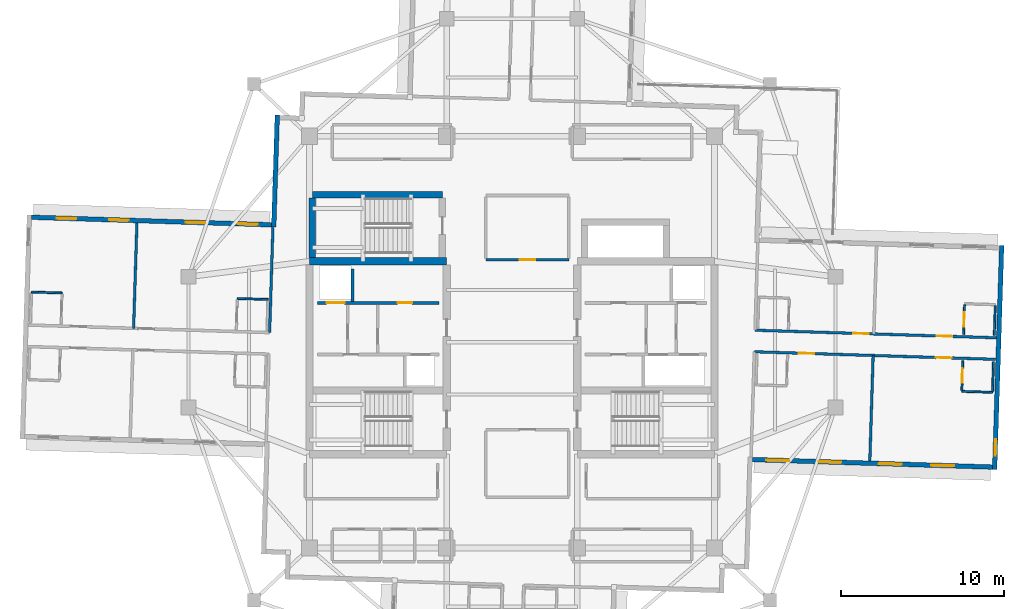
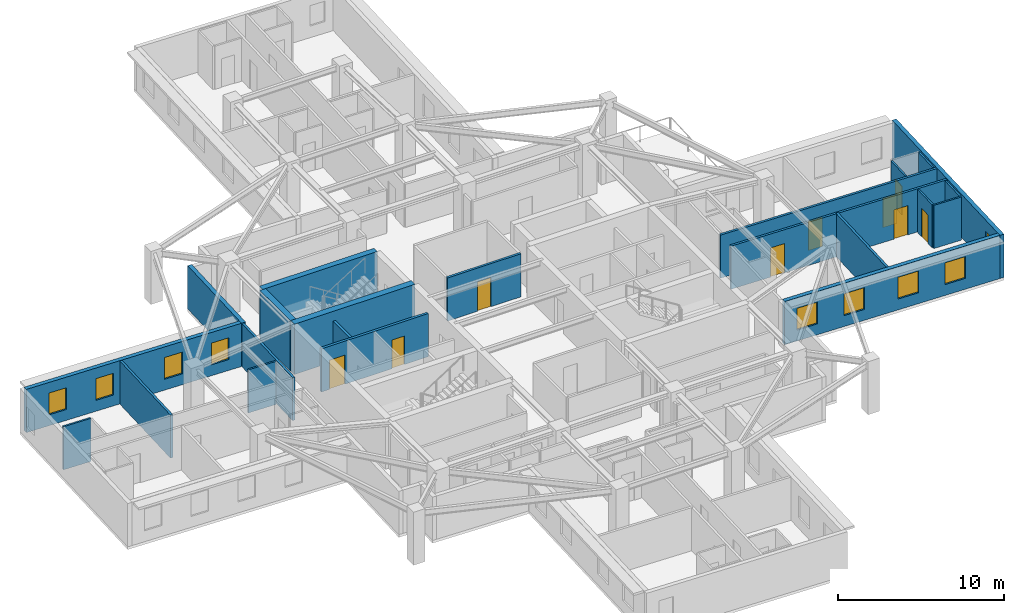
# One storey, part 6 of 12: 22 walls, 9 doors, 9 windows, 18 openings.
"""IFC4 building model written with IfcOpenShell, lengths in metres."""

from ifc_helpers import new_model, si_unit, direction, frame, frame_2d, origin, place, context, subcontext, project, spatial, rectangle, extrude, material, layer, layer_set, type_object, element, fill, save


model = new_model("IFC4")

# Units and contexts
model_context = context("Model", 3, precision=1e-05, world=origin(), true_north=direction((0.0, 1.0)))
body_context = subcontext(model_context, "Body", "Model", "MODEL_VIEW")
ifc_project = project(units=[si_unit("LENGTHUNIT", "METRE"), si_unit("AREAUNIT", "SQUARE_METRE"), si_unit("VOLUMEUNIT", "CUBIC_METRE"), si_unit("PLANEANGLEUNIT", "RADIAN"), si_unit("MASSUNIT", "GRAM", prefix="KILO")], contexts=[model_context])

# Site, building, storey
site_placement = place(None, origin())
site = spatial("IfcSite", under=ifc_project, at=site_placement, CompositionType="ELEMENT")
building_placement = place(site_placement, origin())
building = spatial("IfcBuilding", under=site, at=building_placement, Name="Qingluan Cross Belvedere", CompositionType="ELEMENT")
storey_placement = place(building_placement, frame((0.0, 0.0, 232.5)))
storey = spatial("IfcBuildingStorey", under=building, at=storey_placement, Name="L58", CompositionType="ELEMENT", Elevation=232.5)

# Walls
ifc_material_1 = material(Name="Concrete C50", Category="concrete")
ifc_layer_1 = layer(ifc_material_1, 0.449951171875, Name="CoreShearWall_450")
ifc_layer_set_1 = layer_set([ifc_layer_1], Name="Concrete C50")
wall_type_1 = type_object("IfcWallType", Name="CoreShearWall_450", PredefinedType="SHEAR", material=ifc_layer_set_1)
wall_1_placement = place(storey_placement, frame((-12.39990234375, 4.949951171875, 0.0), z_axis=(0.0, 0.0, 1.0), x_axis=(1.0, 0.0, 0.0)))
element("IfcWall", 1, at=wall_1_placement, inside=storey, type_object=wall_type_1, Name="Split core W shear wall L58-N", PredefinedType="SHEAR", context=body_context, shape_type="SweptSolid", body=[
    extrude(rectangle(XDim=8.39990234375, YDim=0.449951171875, at=frame_2d((4.199951171875, 0.0))), origin(), (0.0, 0.0, 1.0), 3.699951171875),
])
wall_2_placement = place(storey_placement, frame((-12.219970703125, 9.0400390625, 0.0), z_axis=(0.0, 0.0, 1.0), x_axis=(1.0, 0.0, 0.0)))
element("IfcWall", 2, at=wall_2_placement, inside=storey, type_object=wall_type_1, Name="Stair ST3 structural wall N L58", PredefinedType="SHEAR", context=body_context, shape_type="SweptSolid", body=[
    extrude(rectangle(XDim=7.9599609375, YDim=0.39990234375, at=frame_2d((3.97998046875, 0.0))), origin(), (0.0, 0.0, 1.0), 3.699951171875),
])
wall_3_placement = place(storey_placement, frame((-12.219970703125, 5.179931640625, 0.0), z_axis=(0.0, 0.0, 1.0), x_axis=(0.0, 1.0, 0.0)))
element("IfcWall", 3, at=wall_3_placement, inside=storey, type_object=wall_type_1, Name="Stair ST3 structural wall W L58", PredefinedType="SHEAR", context=body_context, shape_type="SweptSolid", body=[
    extrude(rectangle(XDim=3.655029296875, YDim=0.39990234375, at=frame_2d((1.82763671875, 0.0))), origin(), (0.0, 0.0, 1.0), 3.699951171875),
])

# Wall, opening, door
ifc_material_2 = material(Name="Gypsum plasterboard on steel stud acoustic partition", Category="steel")
ifc_layer_2 = layer(ifc_material_2, 0.159912109375, Name="CorridorPartition_160")
ifc_layer_set_2 = layer_set([ifc_layer_2], Name="Gypsum plasterboard on steel stud acoustic partition")
wall_type_2 = type_object("IfcWallType", Name="CorridorPartition_160", PredefinedType="PARTITIONING", material=ifc_layer_set_2)
wall_4_placement = place(storey_placement, frame((-1.60009765625, 5.050048828125, 0.0), z_axis=(0.0, 0.0, 1.0), x_axis=(1.0, 0.0, 0.0)))
wall_4 = element("IfcWall", 4, at=wall_4_placement, inside=storey, type_object=wall_type_2, Name="Partition L58:sky_tea_alcove:S", PredefinedType="PARTITIONING", context=body_context, shape_type="SweptSolid", body=[
    extrude(rectangle(XDim=5.080078125, YDim=0.159912109375, at=frame_2d((2.5400390625, 0.0))), origin(), (0.0, 0.0, 1.0), 3.169921875),
])
opening_1_placement = place(wall_4_placement, frame((2.06005859375, 0.0, 0.0)))
opening_1 = element("IfcOpeningElement", 5, at=opening_1_placement, cuts=wall_4, Name="Opening GD-10", PredefinedType="OPENING", context=body_context, shape_type="SweptSolid", body=[
    extrude(rectangle(XDim=0.9599609375, YDim=2.14990234375, at=frame_2d((0.47998046875, 1.074951171875))), frame((0.0, 0.08984375, 0.0), z_axis=(0.0, -1.0, 0.0), x_axis=(1.0, 0.0, 0.0)), (0.0, 0.0, 1.0), 0.179931640625),
])
ifc_material_3 = material(Name="Timber oak fire-rated acoustic guestroom door", Category="wood")
door_type_1 = type_object("IfcDoorType", Name="GuestEntryDoor_FD60", OperationType="NOTDEFINED", PredefinedType="DOOR", material=ifc_material_3)
door_1_placement = place(opening_1_placement, origin())
door_1 = element("IfcDoor", 6, at=door_1_placement, inside=storey, type_object=door_type_1, Name="Sky horizon tea salon L58 door", OperationType="SINGLE_SWING_RIGHT", OverallHeight=2.14990234375, OverallWidth=0.9599609375, PredefinedType="DOOR", context=body_context, shape_type="SweptSolid", body=[
    extrude(rectangle(XDim=0.9599609375, YDim=2.14990234375, at=frame_2d((0.47998046875, 1.074951171875))), frame((0.0, 0.02490234375, 0.0), z_axis=(0.0, -1.0, 0.0), x_axis=(1.0, 0.0, 0.0)), (0.0, 0.0, 1.0), 0.050048828125),
])
fill(opening_1, door_1)

# Wall, openings, doors
wall_5_placement = place(storey_placement, frame((14.88037109375, 0.73291015625, 0.0), z_axis=(0.0, 0.0, 1.0), x_axis=(0.999506468759, -0.031413673903, 0.0)))
wall_5 = element("IfcWall", 7, at=wall_5_placement, inside=storey, type_object=wall_type_2, Name="Partition L58:E:c0", PredefinedType="PARTITIONING", context=body_context, shape_type="SweptSolid", body=[
    extrude(rectangle(XDim=14.781982421875, YDim=0.159912109375, at=frame_2d((7.39111328125, 0.0))), origin(), (0.0, 0.0, 1.0), 3.169921875),
])
opening_2_placement = place(wall_5_placement, frame((6.013916015625, 0.0, 0.0)))
opening_2 = element("IfcOpeningElement", 8, at=opening_2_placement, cuts=wall_5, Name="Opening GD-10", PredefinedType="OPENING", context=body_context, shape_type="SweptSolid", body=[
    extrude(rectangle(XDim=0.9599609375, YDim=2.14990234375, at=frame_2d((0.47998046875, 1.074951171875))), frame((0.0, 0.08984375, 0.0), z_axis=(0.0, -1.0, 0.0), x_axis=(1.0, 0.0, 0.0)), (0.0, 0.0, 1.0), 0.179931640625),
])
opening_3_placement = place(wall_5_placement, frame((11.115966796875, 0.0, 0.0)))
opening_3 = element("IfcOpeningElement", 9, at=opening_3_placement, cuts=wall_5, Name="Opening GD-10", PredefinedType="OPENING", context=body_context, shape_type="SweptSolid", body=[
    extrude(rectangle(XDim=0.9599609375, YDim=2.14990234375, at=frame_2d((0.47998046875, 1.074951171875))), frame((0.0, 0.08984375, 0.0), z_axis=(0.0, -1.0, 0.0), x_axis=(1.0, 0.0, 0.0)), (0.0, 0.0, 1.0), 0.179931640625),
])
door_2_placement = place(opening_2_placement, origin())
door_2 = element("IfcDoor", 10, at=door_2_placement, inside=storey, type_object=door_type_1, Name="Guest entry fire door 5801", OperationType="SINGLE_SWING_RIGHT", OverallHeight=2.14990234375, OverallWidth=0.9599609375, PredefinedType="DOOR", context=body_context, shape_type="SweptSolid", body=[
    extrude(rectangle(XDim=0.9599609375, YDim=2.14990234375, at=frame_2d((0.47998046875, 1.074951171875))), frame((0.0, 0.02490234375, 0.0), z_axis=(0.0, -1.0, 0.0), x_axis=(1.0, 0.0, 0.0)), (0.0, 0.0, 1.0), 0.050048828125),
])
fill(opening_2, door_2)
door_3_placement = place(opening_3_placement, origin())
door_3 = element("IfcDoor", 11, at=door_3_placement, inside=storey, type_object=door_type_1, Name="Guest entry fire door 5802", OperationType="SINGLE_SWING_RIGHT", OverallHeight=2.14990234375, OverallWidth=0.9599609375, PredefinedType="DOOR", context=body_context, shape_type="SweptSolid", body=[
    extrude(rectangle(XDim=0.9599609375, YDim=2.14990234375, at=frame_2d((0.47998046875, 1.074951171875))), frame((0.0, 0.02490234375, 0.0), z_axis=(0.0, -1.0, 0.0), x_axis=(1.0, 0.0, 0.0)), (0.0, 0.0, 1.0), 0.050048828125),
])
fill(opening_3, door_3)

wall_6_placement = place(storey_placement, frame((14.8388671875, -0.58642578125, 0.0), z_axis=(0.0, 0.0, 1.0), x_axis=(0.999506468759, -0.031413673903, 0.0)))
wall_6 = element("IfcWall", 12, at=wall_6_placement, inside=storey, type_object=wall_type_2, Name="Partition L58:E:c1", PredefinedType="PARTITIONING", context=body_context, shape_type="SweptSolid", body=[
    extrude(rectangle(XDim=14.781982421875, YDim=0.159912109375, at=frame_2d((7.39111328125, 0.0))), origin(), (0.0, 0.0, 1.0), 3.169921875),
])
opening_4_placement = place(wall_6_placement, frame((2.70703125, 0.0, 0.0)))
opening_4 = element("IfcOpeningElement", 13, at=opening_4_placement, cuts=wall_6, Name="Opening GD-10", PredefinedType="OPENING", context=body_context, shape_type="SweptSolid", body=[
    extrude(rectangle(XDim=0.9599609375, YDim=2.14990234375, at=frame_2d((0.47998046875, 1.074951171875))), frame((0.0, 0.08984375, 0.0), z_axis=(0.0, -1.0, 0.0), x_axis=(1.0, 0.0, 0.0)), (0.0, 0.0, 1.0), 0.179931640625),
])
opening_5_placement = place(wall_6_placement, frame((11.115966796875, 0.0, 0.0)))
opening_5 = element("IfcOpeningElement", 14, at=opening_5_placement, cuts=wall_6, Name="Opening GD-10", PredefinedType="OPENING", context=body_context, shape_type="SweptSolid", body=[
    extrude(rectangle(XDim=0.9599609375, YDim=2.14990234375, at=frame_2d((0.47998046875, 1.074951171875))), frame((0.0, 0.08984375, 0.0), z_axis=(0.0, -1.0, 0.0), x_axis=(1.0, 0.0, 0.0)), (0.0, 0.0, 1.0), 0.179931640625),
])
door_4_placement = place(opening_4_placement, origin())
door_4 = element("IfcDoor", 15, at=door_4_placement, inside=storey, type_object=door_type_1, Name="Guest entry fire door 5803", OperationType="SINGLE_SWING_RIGHT", OverallHeight=2.14990234375, OverallWidth=0.9599609375, PredefinedType="DOOR", context=body_context, shape_type="SweptSolid", body=[
    extrude(rectangle(XDim=0.9599609375, YDim=2.14990234375, at=frame_2d((0.47998046875, 1.074951171875))), frame((0.0, 0.02490234375, 0.0), z_axis=(0.0, -1.0, 0.0), x_axis=(1.0, 0.0, 0.0)), (0.0, 0.0, 1.0), 0.050048828125),
])
fill(opening_4, door_4)
door_5_placement = place(opening_5_placement, origin())
door_5 = element("IfcDoor", 16, at=door_5_placement, inside=storey, type_object=door_type_1, Name="Guest entry fire door 5804", OperationType="SINGLE_SWING_RIGHT", OverallHeight=2.14990234375, OverallWidth=0.9599609375, PredefinedType="DOOR", context=body_context, shape_type="SweptSolid", body=[
    extrude(rectangle(XDim=0.9599609375, YDim=2.14990234375, at=frame_2d((0.47998046875, 1.074951171875))), frame((0.0, 0.02490234375, 0.0), z_axis=(0.0, -1.0, 0.0), x_axis=(1.0, 0.0, 0.0)), (0.0, 0.0, 1.0), 0.050048828125),
])
fill(opening_5, door_5)

# Walls
for number, where, z_axis, x_axis, name in (
    (17, (22.109375, -0.81494140625, 0.0), (0.0, 0.0, 1.0), (-0.031445031277, -0.99950548273, 0.0), "Partition L58:E:d1_0"),
    (18, (-14.8388671875, 0.58642578125, 0.0), (0.0, 0.0, 1.0), (0.031407228636, 0.999506671308, 0.0), "Partition L58:W:s0"),
    (19, (-23.165771484375, 0.84814453125, 0.0), (0.0, 0.0, 1.0), (0.031407228636, 0.999506671308, 0.0), "Partition L58:W:d0_0"),
):
    element("IfcWall", number, at=place(storey_placement, frame(where, z_axis=z_axis, x_axis=x_axis)), inside=storey, type_object=wall_type_2, Name=name, PredefinedType="PARTITIONING", context=body_context, shape_type="SweptSolid", body=[
        extrude(rectangle(XDim=6.451904296875, YDim=0.159912109375, at=frame_2d((3.22607421875, 0.0))), origin(), (0.0, 0.0, 1.0), 3.169921875),
    ])

# Wall, opening, door
ifc_material_4 = material(Name="Moisture-resistant gypsum board lining")
ifc_layer_3 = layer(ifc_material_4, 0.1201171875, Name="EnsuiteWetPartition_120")
ifc_layer_set_3 = layer_set([ifc_layer_3], Name="Moisture-resistant gypsum board lining")
wall_type_3 = type_object("IfcWallType", Name="EnsuiteWetPartition_120", PredefinedType="PARTITIONING", material=ifc_layer_set_3)
wall_7_placement = place(storey_placement, frame((27.6484375, 0.4716796875, 0.0), z_axis=(0.0, 0.0, 1.0), x_axis=(0.031385496622, 0.999507353951, 0.0)))
wall_7 = element("IfcWall", 20, at=wall_7_placement, inside=storey, type_object=wall_type_3, Name="Partition L58:E:bs0_1", PredefinedType="PARTITIONING", context=body_context, shape_type="SweptSolid", body=[
    extrude(rectangle(XDim=1.8203125, YDim=0.1201171875, at=frame_2d((0.91015625, 0.0))), origin(), (0.0, 0.0, 1.0), 3.169921875),
])
opening_6_placement = place(wall_7_placement, frame((0.469970703125, 0.0, 0.0)))
opening_6 = element("IfcOpeningElement", 21, at=opening_6_placement, cuts=wall_7, Name="Opening BD-09", PredefinedType="OPENING", context=body_context, shape_type="SweptSolid", body=[
    extrude(rectangle(XDim=0.8798828125, YDim=2.10009765625, at=frame_2d((0.43994140625, 1.050048828125))), frame((0.0, 0.070068359375, 0.0), z_axis=(0.0, -1.0, 0.0), x_axis=(1.0, 0.0, 0.0)), (0.0, 0.0, 1.0), 0.14013671875),
])
ifc_material_5 = material(Name="Moisture-sealed timber en-suite door", Category="wood")
door_type_2 = type_object("IfcDoorType", Name="BathroomDoor_880", OperationType="NOTDEFINED", PredefinedType="DOOR", material=ifc_material_5)
door_6_placement = place(opening_6_placement, origin())
door_6 = element("IfcDoor", 22, at=door_6_placement, inside=storey, type_object=door_type_2, Name="Bathroom door 5802", OperationType="SINGLE_SWING_LEFT", OverallHeight=2.10009765625, OverallWidth=0.8798828125, PredefinedType="DOOR", context=body_context, shape_type="SweptSolid", body=[
    extrude(rectangle(XDim=0.8798828125, YDim=2.10009765625, at=frame_2d((0.43994140625, 1.050048828125))), frame((0.0, 0.02490234375, 0.0), z_axis=(0.0, -1.0, 0.0), x_axis=(1.0, 0.0, 0.0)), (0.0, 0.0, 1.0), 0.050048828125),
])
fill(opening_6, door_6)

# Wall
wall_8_placement = place(storey_placement, frame((29.527587890625, 0.41259765625, 0.0), z_axis=(0.0, 0.0, 1.0), x_axis=(0.031389704724, 0.999507221803, 0.0)))
element("IfcWall", 23, at=wall_8_placement, inside=storey, type_object=wall_type_3, Name="Partition L58:E:bw0_1", PredefinedType="PARTITIONING", context=body_context, shape_type="SweptSolid", body=[
    extrude(rectangle(XDim=1.820068359375, YDim=0.1201171875, at=frame_2d((0.91015625, 0.0))), origin(), (0.0, 0.0, 1.0), 3.169921875),
])

# Wall, opening, door
wall_9_placement = place(storey_placement, frame((27.541015625, -2.946533203125, 0.0), z_axis=(0.0, 0.0, 1.0), x_axis=(0.031389704724, 0.999507221803, 0.0)))
wall_9 = element("IfcWall", 24, at=wall_9_placement, inside=storey, type_object=wall_type_3, Name="Partition L58:E:bs1_1", PredefinedType="PARTITIONING", context=body_context, shape_type="SweptSolid", body=[
    extrude(rectangle(XDim=1.820068359375, YDim=0.1201171875, at=frame_2d((0.91015625, 0.0))), origin(), (0.0, 0.0, 1.0), 3.169921875),
])
opening_7_placement = place(wall_9_placement, frame((0.469970703125, 0.0, 0.0)))
opening_7 = element("IfcOpeningElement", 25, at=opening_7_placement, cuts=wall_9, Name="Opening BD-09", PredefinedType="OPENING", context=body_context, shape_type="SweptSolid", body=[
    extrude(rectangle(XDim=0.8798828125, YDim=2.10009765625, at=frame_2d((0.43994140625, 1.050048828125))), frame((0.0, 0.070068359375, 0.0), z_axis=(0.0, -1.0, 0.0), x_axis=(1.0, 0.0, 0.0)), (0.0, 0.0, 1.0), 0.14013671875),
])
door_7_placement = place(opening_7_placement, origin())
door_7 = element("IfcDoor", 26, at=door_7_placement, inside=storey, type_object=door_type_2, Name="Bathroom door 5804", OperationType="SINGLE_SWING_LEFT", OverallHeight=2.10009765625, OverallWidth=0.8798828125, PredefinedType="DOOR", context=body_context, shape_type="SweptSolid", body=[
    extrude(rectangle(XDim=0.8798828125, YDim=2.10009765625, at=frame_2d((0.43994140625, 1.050048828125))), frame((0.0, 0.02490234375, 0.0), z_axis=(0.0, -1.0, 0.0), x_axis=(1.0, 0.0, 0.0)), (0.0, 0.0, 1.0), 0.050048828125),
])
fill(opening_7, door_7)

# Walls
wall_10_placement = place(storey_placement, frame((29.420166015625, -3.005615234375, 0.0), z_axis=(0.0, 0.0, 1.0), x_axis=(0.031389704724, 0.999507221803, 0.0)))
element("IfcWall", 27, at=wall_10_placement, inside=storey, type_object=wall_type_3, Name="Partition L58:E:bw1_1", PredefinedType="PARTITIONING", context=body_context, shape_type="SweptSolid", body=[
    extrude(rectangle(XDim=1.820068359375, YDim=0.1201171875, at=frame_2d((0.91015625, 0.0))), origin(), (0.0, 0.0, 1.0), 3.169921875),
])
wall_11_placement = place(storey_placement, frame((27.5390625, -3.011474609375, 0.0), z_axis=(0.0, 0.0, 1.0), x_axis=(0.999506103526, -0.031425292588, 0.0)))
element("IfcWall", 28, at=wall_11_placement, inside=storey, type_object=wall_type_3, Name="Partition L58:E:bc1_1", PredefinedType="PARTITIONING", context=body_context, shape_type="SweptSolid", body=[
    extrude(rectangle(XDim=1.880126953125, YDim=0.1201171875, at=frame_2d((0.93994140625, 0.0))), origin(), (0.0, 0.0, 1.0), 3.169921875),
])
wall_12_placement = place(storey_placement, frame((-14.935302734375, 2.615478515625, 0.0), z_axis=(0.0, 0.0, 1.0), x_axis=(-0.999505975261, 0.031429371883, 0.0)))
element("IfcWall", 29, at=wall_12_placement, inside=storey, type_object=wall_type_3, Name="Partition L58:W:bn0_0", PredefinedType="PARTITIONING", context=body_context, shape_type="SweptSolid", body=[
    extrude(rectangle(XDim=1.8798828125, YDim=0.1201171875, at=frame_2d((0.93994140625, 0.0))), origin(), (0.0, 0.0, 1.0), 3.169921875),
])
wall_13_placement = place(storey_placement, frame((-27.5390625, 3.011474609375, 0.0), z_axis=(0.0, 0.0, 1.0), x_axis=(-0.999506103526, 0.031425292588, 0.0)))
element("IfcWall", 30, at=wall_13_placement, inside=storey, type_object=wall_type_3, Name="Partition L58:W:bn0_1", PredefinedType="PARTITIONING", context=body_context, shape_type="SweptSolid", body=[
    extrude(rectangle(XDim=1.880126953125, YDim=0.1201171875, at=frame_2d((0.93994140625, 0.0))), origin(), (0.0, 0.0, 1.0), 3.169921875),
])

# Wall, openings, windows
ifc_material_6 = material(Name="Precast concrete C45", Category="concrete")
ifc_layer_4 = layer(ifc_material_6, 0.280029296875, Name="PrecastFacadeWall_280")
ifc_layer_set_4 = layer_set([ifc_layer_4], Name="Precast concrete C45")
wall_type_4 = type_object("IfcWallType", Name="PrecastFacadeWall_280", PredefinedType="STANDARD", material=ifc_layer_set_4)
wall_14_placement = place(storey_placement, frame((14.721435546875, -7.18603515625, 0.0), z_axis=(0.0, 0.0, 1.0), x_axis=(0.999506714454, -0.031405855522, 0.0)))
wall_14 = element("IfcWall", 31, at=wall_14_placement, inside=storey, type_object=wall_type_4, Name="Facade wall L58-EA", PredefinedType="STANDARD", context=body_context, shape_type="SweptSolid", body=[
    extrude(rectangle(XDim=14.7001953125, YDim=0.280029296875, at=frame_2d((7.35009765625, 0.0))), origin(), (0.0, 0.0, 1.0), 3.179931640625),
])
opening_8_placement = place(wall_14_placement, frame((0.85009765625, 0.0, 0.800048828125)))
opening_8 = element("IfcOpeningElement", 32, at=opening_8_placement, cuts=wall_14, Name="Opening W-01", PredefinedType="OPENING", context=body_context, shape_type="SweptSolid", body=[
    extrude(rectangle(XDim=1.39990234375, YDim=1.60009765625, at=frame_2d((0.699951171875, 0.800048828125))), frame((0.0, 0.14990234375, 0.0), z_axis=(0.0, -1.0, 0.0), x_axis=(1.0, 0.0, 0.0)), (0.0, 0.0, 1.0), 0.300048828125),
])
opening_9_placement = place(wall_14_placement, frame((4.050048828125, 0.0, 0.800048828125)))
opening_9 = element("IfcOpeningElement", 33, at=opening_9_placement, cuts=wall_14, Name="Opening W-01", PredefinedType="OPENING", context=body_context, shape_type="SweptSolid", body=[
    extrude(rectangle(XDim=1.39990234375, YDim=1.60009765625, at=frame_2d((0.699951171875, 0.800048828125))), frame((0.0, 0.14990234375, 0.0), z_axis=(0.0, -1.0, 0.0), x_axis=(1.0, 0.0, 0.0)), (0.0, 0.0, 1.0), 0.300048828125),
])
opening_10_placement = place(wall_14_placement, frame((7.75, 0.0, 0.800048828125)))
opening_10 = element("IfcOpeningElement", 34, at=opening_10_placement, cuts=wall_14, Name="Opening W-01", PredefinedType="OPENING", context=body_context, shape_type="SweptSolid", body=[
    extrude(rectangle(XDim=1.39990234375, YDim=1.60009765625, at=frame_2d((0.699951171875, 0.800048828125))), frame((0.0, 0.14990234375, 0.0), z_axis=(0.0, -1.0, 0.0), x_axis=(1.0, 0.0, 0.0)), (0.0, 0.0, 1.0), 0.300048828125),
])
opening_11_placement = place(wall_14_placement, frame((10.949951171875, 0.0, 0.800048828125)))
opening_11 = element("IfcOpeningElement", 35, at=opening_11_placement, cuts=wall_14, Name="Opening W-01", PredefinedType="OPENING", context=body_context, shape_type="SweptSolid", body=[
    extrude(rectangle(XDim=1.39990234375, YDim=1.60009765625, at=frame_2d((0.699951171875, 0.800048828125))), frame((0.0, 0.14990234375, 0.0), z_axis=(0.0, -1.0, 0.0), x_axis=(1.0, 0.0, 0.0)), (0.0, 0.0, 1.0), 0.300048828125),
])
ifc_material_7 = material(Name="Thermally broken triple Low-E glass in aluminium frame", Category="aluminium")
window_type_1 = type_object("IfcWindowType", Name="TriRibbonWin_1400x1600", PartitioningType="SINGLE_PANEL", PredefinedType="WINDOW", material=ifc_material_7)
window_1_placement = place(opening_8_placement, origin())
window_1 = element("IfcWindow", 36, at=window_1_placement, inside=storey, type_object=window_type_1, Name="Ribbon window L58-EA-1", OverallHeight=1.60009765625, OverallWidth=1.39990234375, PartitioningType="SINGLE_PANEL", PredefinedType="WINDOW", context=body_context, shape_type="SweptSolid", body=[
    extrude(rectangle(XDim=1.39990234375, YDim=1.60009765625, at=frame_2d((0.699951171875, 0.800048828125))), frame((0.0, 0.030029296875, 0.0), z_axis=(0.0, -1.0, 0.0), x_axis=(1.0, 0.0, 0.0)), (0.0, 0.0, 1.0), 0.06005859375),
])
fill(opening_8, window_1)
window_2_placement = place(opening_9_placement, origin())
window_2 = element("IfcWindow", 37, at=window_2_placement, inside=storey, type_object=window_type_1, Name="Ribbon window L58-EA-2", OverallHeight=1.60009765625, OverallWidth=1.39990234375, PartitioningType="SINGLE_PANEL", PredefinedType="WINDOW", context=body_context, shape_type="SweptSolid", body=[
    extrude(rectangle(XDim=1.39990234375, YDim=1.60009765625, at=frame_2d((0.699951171875, 0.800048828125))), frame((0.0, 0.030029296875, 0.0), z_axis=(0.0, -1.0, 0.0), x_axis=(1.0, 0.0, 0.0)), (0.0, 0.0, 1.0), 0.06005859375),
])
fill(opening_9, window_2)
window_3_placement = place(opening_10_placement, origin())
window_3 = element("IfcWindow", 38, at=window_3_placement, inside=storey, type_object=window_type_1, Name="Ribbon window L58-EA-3", OverallHeight=1.60009765625, OverallWidth=1.39990234375, PartitioningType="SINGLE_PANEL", PredefinedType="WINDOW", context=body_context, shape_type="SweptSolid", body=[
    extrude(rectangle(XDim=1.39990234375, YDim=1.60009765625, at=frame_2d((0.699951171875, 0.800048828125))), frame((0.0, 0.030029296875, 0.0), z_axis=(0.0, -1.0, 0.0), x_axis=(1.0, 0.0, 0.0)), (0.0, 0.0, 1.0), 0.06005859375),
])
fill(opening_10, window_3)
window_4_placement = place(opening_11_placement, origin())
window_4 = element("IfcWindow", 39, at=window_4_placement, inside=storey, type_object=window_type_1, Name="Ribbon window L58-EA-4", OverallHeight=1.60009765625, OverallWidth=1.39990234375, PartitioningType="SINGLE_PANEL", PredefinedType="WINDOW", context=body_context, shape_type="SweptSolid", body=[
    extrude(rectangle(XDim=1.39990234375, YDim=1.60009765625, at=frame_2d((0.699951171875, 0.800048828125))), frame((0.0, 0.030029296875, 0.0), z_axis=(0.0, -1.0, 0.0), x_axis=(1.0, 0.0, 0.0)), (0.0, 0.0, 1.0), 0.06005859375),
])
fill(opening_11, window_4)

# Wall, opening, window
wall_15_placement = place(storey_placement, frame((29.5498046875, -7.7919921875, 0.0), z_axis=(0.0, 0.0, 1.0), x_axis=(0.031407524763, 0.999506662003, 0.0)))
wall_15 = element("IfcWall", 40, at=wall_15_placement, inside=storey, type_object=wall_type_4, Name="Arm tip precast facade wall L58-E", PredefinedType="STANDARD", context=body_context, shape_type="SweptSolid", body=[
    extrude(rectangle(XDim=13.719970703125, YDim=0.280029296875, at=frame_2d((6.85986328125, 0.0))), origin(), (0.0, 0.0, 1.0), 3.179931640625),
])
opening_12_placement = place(wall_15_placement, frame((0.85009765625, 0.0, 0.85009765625)))
opening_12 = element("IfcOpeningElement", 41, at=opening_12_placement, cuts=wall_15, Name="Opening W-03", PredefinedType="OPENING", context=body_context, shape_type="SweptSolid", body=[
    extrude(rectangle(XDim=1.0, YDim=1.5, at=frame_2d((0.5, 0.75))), frame((0.0, 0.14990234375, 0.0), z_axis=(0.0, -1.0, 0.0), x_axis=(1.0, 0.0, 0.0)), (0.0, 0.0, 1.0), 0.300048828125),
])
ifc_material_8 = material(Name="Thermally broken triple Low-E glass in aluminium frame", Category="aluminium")
window_type_2 = type_object("IfcWindowType", Name="TriApexWin_1000x1500", PartitioningType="SINGLE_PANEL", PredefinedType="WINDOW", material=ifc_material_8)
window_5_placement = place(opening_12_placement, origin())
window_5 = element("IfcWindow", 42, at=window_5_placement, inside=storey, type_object=window_type_2, Name="Arm tip triangular window L58-E", OverallHeight=1.5, OverallWidth=1.0, PartitioningType="SINGLE_PANEL", PredefinedType="WINDOW", context=body_context, shape_type="SweptSolid", body=[
    extrude(rectangle(XDim=1.0, YDim=1.5, at=frame_2d((0.5, 0.75))), frame((0.0, 0.030029296875, 0.0), z_axis=(0.0, -1.0, 0.0), x_axis=(1.0, 0.0, 0.0)), (0.0, 0.0, 1.0), 0.06005859375),
])
fill(opening_12, window_5)

# Wall, openings, windows
wall_16_placement = place(storey_placement, frame((-14.721435546875, 7.18603515625, 0.0), z_axis=(0.0, 0.0, 1.0), x_axis=(-0.999506714454, 0.031405855522, 0.0)))
wall_16 = element("IfcWall", 43, at=wall_16_placement, inside=storey, type_object=wall_type_4, Name="Facade wall L58-WA", PredefinedType="STANDARD", context=body_context, shape_type="SweptSolid", body=[
    extrude(rectangle(XDim=14.7001953125, YDim=0.280029296875, at=frame_2d((7.35009765625, 0.0))), origin(), (0.0, 0.0, 1.0), 3.179931640625),
])
opening_13_placement = place(wall_16_placement, frame((0.85009765625, 0.0, 0.800048828125)))
opening_13 = element("IfcOpeningElement", 44, at=opening_13_placement, cuts=wall_16, Name="Opening W-02", PredefinedType="OPENING", context=body_context, shape_type="SweptSolid", body=[
    extrude(rectangle(XDim=1.199951171875, YDim=1.60009765625, at=frame_2d((0.60009765625, 0.800048828125))), frame((0.0, 0.14990234375, 0.0), z_axis=(0.0, -1.0, 0.0), x_axis=(1.0, 0.0, 0.0)), (0.0, 0.0, 1.0), 0.300048828125),
])
opening_14_placement = place(wall_16_placement, frame((4.050048828125, 0.0, 0.800048828125)))
opening_14 = element("IfcOpeningElement", 45, at=opening_14_placement, cuts=wall_16, Name="Opening W-02", PredefinedType="OPENING", context=body_context, shape_type="SweptSolid", body=[
    extrude(rectangle(XDim=1.199951171875, YDim=1.60009765625, at=frame_2d((0.60009765625, 0.800048828125))), frame((0.0, 0.14990234375, 0.0), z_axis=(0.0, -1.0, 0.0), x_axis=(1.0, 0.0, 0.0)), (0.0, 0.0, 1.0), 0.300048828125),
])
opening_15_placement = place(wall_16_placement, frame((8.75, 0.0, 0.800048828125)))
opening_15 = element("IfcOpeningElement", 46, at=opening_15_placement, cuts=wall_16, Name="Opening W-02", PredefinedType="OPENING", context=body_context, shape_type="SweptSolid", body=[
    extrude(rectangle(XDim=1.199951171875, YDim=1.60009765625, at=frame_2d((0.60009765625, 0.800048828125))), frame((0.0, 0.14990234375, 0.0), z_axis=(0.0, -1.0, 0.0), x_axis=(1.0, 0.0, 0.0)), (0.0, 0.0, 1.0), 0.300048828125),
])
opening_16_placement = place(wall_16_placement, frame((11.949951171875, 0.0, 0.800048828125)))
opening_16 = element("IfcOpeningElement", 47, at=opening_16_placement, cuts=wall_16, Name="Opening W-02", PredefinedType="OPENING", context=body_context, shape_type="SweptSolid", body=[
    extrude(rectangle(XDim=1.199951171875, YDim=1.60009765625, at=frame_2d((0.60009765625, 0.800048828125))), frame((0.0, 0.14990234375, 0.0), z_axis=(0.0, -1.0, 0.0), x_axis=(1.0, 0.0, 0.0)), (0.0, 0.0, 1.0), 0.300048828125),
])
ifc_material_9 = material(Name="Thermally broken triple Low-E glass in aluminium frame", Category="aluminium")
window_type_3 = type_object("IfcWindowType", Name="TriRibbonWin_1200x1600", PartitioningType="SINGLE_PANEL", PredefinedType="WINDOW", material=ifc_material_9)
window_6_placement = place(opening_13_placement, origin())
window_6 = element("IfcWindow", 48, at=window_6_placement, inside=storey, type_object=window_type_3, Name="Ribbon window L58-WA-1", OverallHeight=1.60009765625, OverallWidth=1.199951171875, PartitioningType="SINGLE_PANEL", PredefinedType="WINDOW", context=body_context, shape_type="SweptSolid", body=[
    extrude(rectangle(XDim=1.199951171875, YDim=1.60009765625, at=frame_2d((0.60009765625, 0.800048828125))), frame((0.0, 0.030029296875, 0.0), z_axis=(0.0, -1.0, 0.0), x_axis=(1.0, 0.0, 0.0)), (0.0, 0.0, 1.0), 0.06005859375),
])
fill(opening_13, window_6)
window_7_placement = place(opening_14_placement, origin())
window_7 = element("IfcWindow", 49, at=window_7_placement, inside=storey, type_object=window_type_3, Name="Ribbon window L58-WA-2", OverallHeight=1.60009765625, OverallWidth=1.199951171875, PartitioningType="SINGLE_PANEL", PredefinedType="WINDOW", context=body_context, shape_type="SweptSolid", body=[
    extrude(rectangle(XDim=1.199951171875, YDim=1.60009765625, at=frame_2d((0.60009765625, 0.800048828125))), frame((0.0, 0.030029296875, 0.0), z_axis=(0.0, -1.0, 0.0), x_axis=(1.0, 0.0, 0.0)), (0.0, 0.0, 1.0), 0.06005859375),
])
fill(opening_14, window_7)
window_8_placement = place(opening_15_placement, origin())
window_8 = element("IfcWindow", 50, at=window_8_placement, inside=storey, type_object=window_type_3, Name="Ribbon window L58-WA-3", OverallHeight=1.60009765625, OverallWidth=1.199951171875, PartitioningType="SINGLE_PANEL", PredefinedType="WINDOW", context=body_context, shape_type="SweptSolid", body=[
    extrude(rectangle(XDim=1.199951171875, YDim=1.60009765625, at=frame_2d((0.60009765625, 0.800048828125))), frame((0.0, 0.030029296875, 0.0), z_axis=(0.0, -1.0, 0.0), x_axis=(1.0, 0.0, 0.0)), (0.0, 0.0, 1.0), 0.06005859375),
])
fill(opening_15, window_8)
window_9_placement = place(opening_16_placement, origin())
window_9 = element("IfcWindow", 51, at=window_9_placement, inside=storey, type_object=window_type_3, Name="Ribbon window L58-WA-4", OverallHeight=1.60009765625, OverallWidth=1.199951171875, PartitioningType="SINGLE_PANEL", PredefinedType="WINDOW", context=body_context, shape_type="SweptSolid", body=[
    extrude(rectangle(XDim=1.199951171875, YDim=1.60009765625, at=frame_2d((0.60009765625, 0.800048828125))), frame((0.0, 0.030029296875, 0.0), z_axis=(0.0, -1.0, 0.0), x_axis=(1.0, 0.0, 0.0)), (0.0, 0.0, 1.0), 0.06005859375),
])
fill(opening_16, window_9)

# Wall
wall_17_placement = place(storey_placement, frame((-14.5859375, 7.04150390625, 0.0), z_axis=(0.0, 0.0, 1.0), x_axis=(0.031389189386, 0.999507237988, 0.0)))
element("IfcWall", 52, at=wall_17_placement, inside=storey, type_object=wall_type_4, Name="Corner wall L58-NW1", PredefinedType="STANDARD", context=body_context, shape_type="SweptSolid", body=[
    extrude(rectangle(XDim=6.860107421875, YDim=0.280029296875, at=frame_2d((3.43017578125, 0.0))), origin(), (0.0, 0.0, 1.0), 3.179931640625),
])

# Wall, openings, doors
ifc_material_10 = material(Name="Concrete C40", Category="concrete")
ifc_layer_5 = layer(ifc_material_10, 0.219970703125, Name="ShaftEnclosureWall_250")
ifc_layer_set_5 = layer_set([ifc_layer_5], Name="Concrete C40")
wall_type_5 = type_object("IfcWallType", Name="ShaftEnclosureWall_250", PredefinedType="SOLIDWALL", material=ifc_layer_set_5)
wall_18_placement = place(storey_placement, frame((-11.89990234375, 2.409912109375, 0.0), z_axis=(0.0, 0.0, 1.0), x_axis=(1.0, 0.0, 0.0)))
wall_18 = element("IfcWall", 53, at=wall_18_placement, inside=storey, type_object=wall_type_5, Name="Core-W north hoistway wall L58", PredefinedType="SOLIDWALL", context=body_context, shape_type="SweptSolid", body=[
    extrude(rectangle(XDim=7.419921875, YDim=0.179931640625, at=frame_2d((3.7099609375, 0.0))), origin(), (0.0, 0.0, 1.0), 3.169921875),
])
opening_17_placement = place(wall_18_placement, frame((0.550048828125, 0.0, 0.0)))
opening_17 = element("IfcOpeningElement", 54, at=opening_17_placement, cuts=wall_18, Name="Opening LD-11", PredefinedType="OPENING", context=body_context, shape_type="SweptSolid", body=[
    extrude(rectangle(XDim=1.10009765625, YDim=2.14990234375, at=frame_2d((0.550048828125, 1.074951171875))), frame((0.0, 0.099853515625, 0.0), z_axis=(0.0, -1.0, 0.0), x_axis=(1.0, 0.0, 0.0)), (0.0, 0.0, 1.0), 0.199951171875),
])
opening_18_placement = place(wall_18_placement, frame((4.89990234375, 0.0, 0.0)))
opening_18 = element("IfcOpeningElement", 55, at=opening_18_placement, cuts=wall_18, Name="Opening FD-B10", PredefinedType="OPENING", context=body_context, shape_type="SweptSolid", body=[
    extrude(rectangle(XDim=0.8798828125, YDim=2.10009765625, at=frame_2d((0.43994140625, 1.050048828125))), frame((0.0, 0.099853515625, 0.0), z_axis=(0.0, -1.0, 0.0), x_axis=(1.0, 0.0, 0.0)), (0.0, 0.0, 1.0), 0.199951171875),
])
ifc_material_11 = material(Name="Brushed stainless steel centre-opening lift landing door", Category="steel")
door_type_3 = type_object("IfcDoorType", Name="LiftLandingSlidingDoor_1100", OperationType="DOUBLE_DOOR_SLIDING", PredefinedType="DOOR", material=ifc_material_11)
door_8_placement = place(opening_17_placement, origin())
door_8 = element("IfcDoor", 56, at=door_8_placement, inside=storey, type_object=door_type_3, Name="Lift landing sliding door FL1 L58", OperationType="DOUBLE_DOOR_SLIDING", OverallHeight=2.14990234375, OverallWidth=1.10009765625, PredefinedType="DOOR", context=body_context, shape_type="SweptSolid", body=[
    extrude(rectangle(XDim=1.10009765625, YDim=2.14990234375, at=frame_2d((0.550048828125, 1.074951171875))), frame((0.0, 0.02490234375, 0.0), z_axis=(0.0, -1.0, 0.0), x_axis=(1.0, 0.0, 0.0)), (0.0, 0.0, 1.0), 0.050048828125),
])
fill(opening_17, door_8)
ifc_material_12 = material(Name="Steel Class B service fire door", Category="steel")
door_type_4 = type_object("IfcDoorType", Name="RiserServiceFireDoor_FDB", OperationType="NOTDEFINED", PredefinedType="DOOR", material=ifc_material_12)
door_9_placement = place(opening_18_placement, origin())
door_9 = element("IfcDoor", 57, at=door_9_placement, inside=storey, type_object=door_type_4, Name="Housekeeping supply room door W L58", OperationType="SINGLE_SWING_LEFT", OverallHeight=2.10009765625, OverallWidth=0.8798828125, PredefinedType="DOOR", context=body_context, shape_type="SweptSolid", body=[
    extrude(rectangle(XDim=0.8798828125, YDim=2.10009765625, at=frame_2d((0.43994140625, 1.050048828125))), frame((0.0, 0.02490234375, 0.0), z_axis=(0.0, -1.0, 0.0), x_axis=(1.0, 0.0, 0.0)), (0.0, 0.0, 1.0), 0.050048828125),
])
fill(opening_18, door_9)

# Wall
wall_19_placement = place(storey_placement, frame((-9.760009765625, 2.5, 0.0), z_axis=(0.0, 0.0, 1.0), x_axis=(0.0, 1.0, 0.0)))
element("IfcWall", 58, at=wall_19_placement, inside=storey, type_object=wall_type_5, Name="Hoistway enclosure divider FL1E L58", PredefinedType="SOLIDWALL", context=body_context, shape_type="SweptSolid", body=[
    extrude(rectangle(XDim=1.989990234375, YDim=0.179931640625, at=frame_2d((0.9951171875, 0.0))), origin(), (0.0, 0.0, 1.0), 3.169921875),
])

save(model, "model.ifc")
